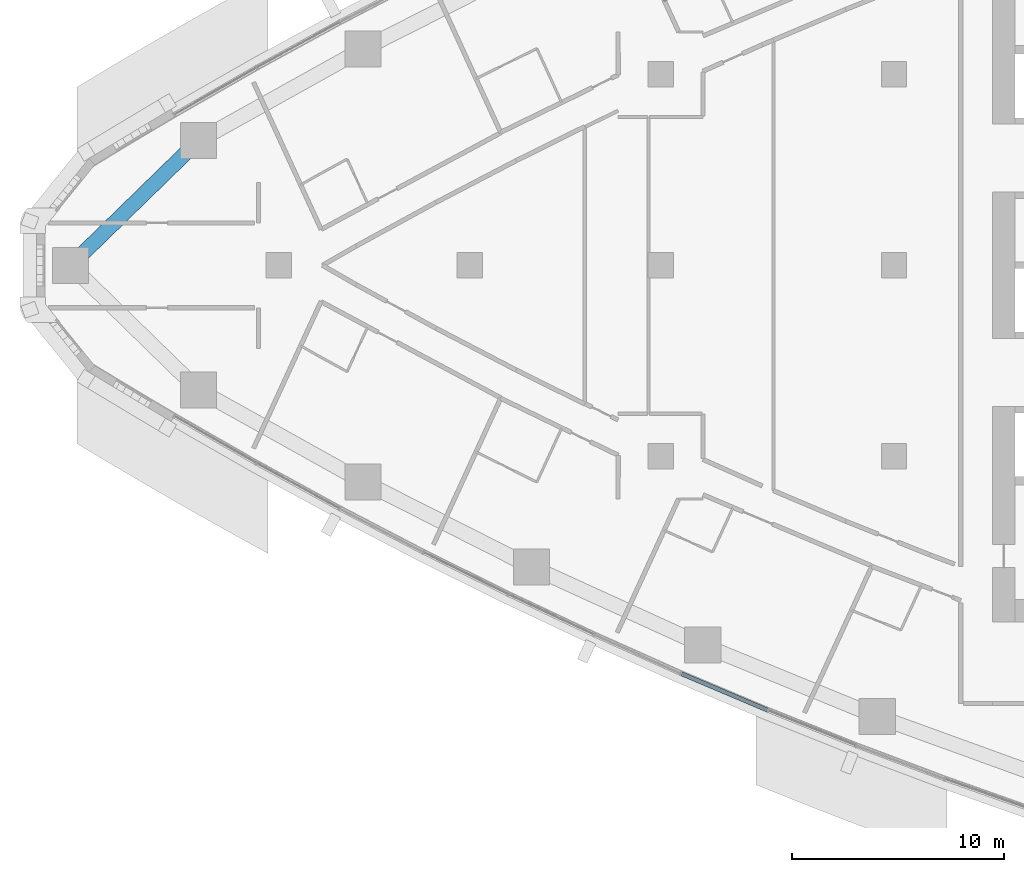
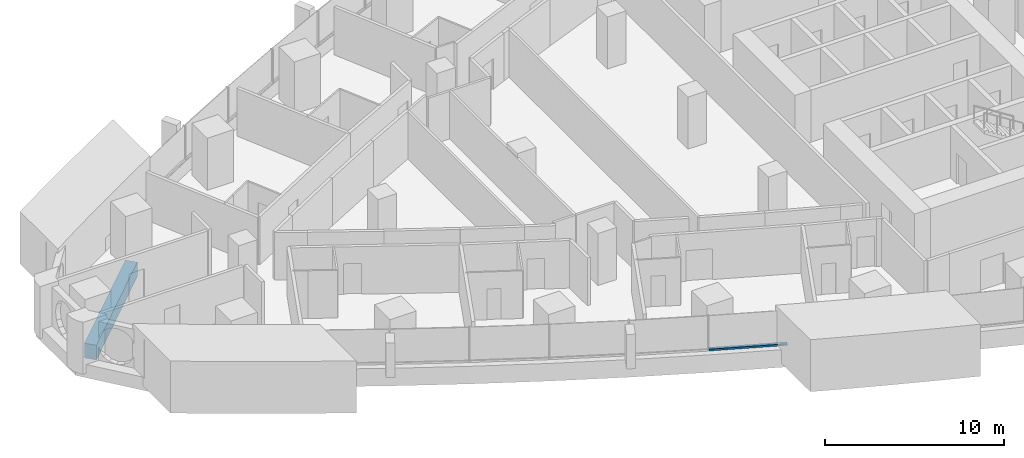
# One storey, part 3 of 17: 1 beam, 1 member, 1 element without a shape of its own.
"""IFC4 building model written with IfcOpenShell, lengths in metres."""

import ifcopenshell
import ifcopenshell.guid

model = None  # the IFC model being written
_history = None  # IfcOwnerHistory: only IFC2X3 demands one
_inside = {}  # id of a spatial element -> (the spatial element, [elements in it])
_under = {}  # id of a project, library or spatial element -> (it, [spatial elements below it])
_declared = {}  # id of a project -> (the project, [libraries it declares])
_typed = {}  # id of a type object -> (the type object, [elements of that type])
_made_of = {}  # id of a material, layer set ... -> (it, [elements and type objects made of it])


def new_model(schema):
    """Start an empty IFC model of exactly this schema.

    Asked for "IFC4X3", IfcOpenShell would pick the latest addendum, in which some entities
    have other attributes; the version numbers below select the first issue.
    IFC2X3 requires an IfcOwnerHistory on every rooted entity: one is made here for all.
    """
    global model, _history
    if schema == "IFC4X3":
        model = ifcopenshell.file(schema_version=(4, 3, 0, 0))
    else:
        model = ifcopenshell.file(schema=schema)
    _inside.clear()
    _under.clear()
    _declared.clear()
    _typed.clear()
    _made_of.clear()
    _history = None
    if model.schema == "IFC2X3":
        org = make("IfcOrganization", Name="unknown")
        user = make(
            "IfcPersonAndOrganization",
            ThePerson=make("IfcPerson", FamilyName="unknown"),
            TheOrganization=org,
        )
        app = make(
            "IfcApplication",
            ApplicationDeveloper=org,
            Version="unknown",
            ApplicationFullName="unknown",
            ApplicationIdentifier="unknown",
        )
        _history = make(
            "IfcOwnerHistory",
            OwningUser=user,
            OwningApplication=app,
            ChangeAction="ADDED",
            CreationDate=0,
        )
    return model


def make(cls, **values):
    """One entity of the class cls with the attributes given. An attribute that is None is left unset."""
    return model.create_entity(
        cls, **{name: value for name, value in values.items() if value is not None}
    )


def rooted(cls, **values):
    """An entity with a GlobalId (a new one), such as an element, a storey or a relation."""
    return make(cls, GlobalId=ifcopenshell.guid.new(), OwnerHistory=_history, **values)


def si_unit(unit_type, name, prefix=None):
    """IfcSIUnit, for example si_unit("LENGTHUNIT", "METRE", prefix="MILLI")."""
    return make("IfcSIUnit", UnitType=unit_type, Prefix=prefix, Name=name)


def assignment(units):
    """IfcUnitAssignment: the units of a project."""
    return None if units is None else make("IfcUnitAssignment", Units=units)


def point(xyz):
    """IfcCartesianPoint."""
    return None if xyz is None else make("IfcCartesianPoint", Coordinates=xyz)


def direction(xyz):
    """IfcDirection."""
    return None if xyz is None else make("IfcDirection", DirectionRatios=xyz)


def frame(location, z_axis=None, x_axis=None):
    """IfcAxis2Placement3D, a coordinate frame: its origin and axes. An axis left out is left unset."""
    return make(
        "IfcAxis2Placement3D",
        Location=point(location),
        Axis=direction(z_axis),
        RefDirection=direction(x_axis),
    )


def frame_2d(location, x_axis=None):
    """IfcAxis2Placement2D, a coordinate frame in the plane: its origin and x axis."""
    return make(
        "IfcAxis2Placement2D", Location=point(location), RefDirection=direction(x_axis)
    )


def origin():
    """The frame at (0, 0, 0) with its axes left unset."""
    return frame((0.0, 0.0, 0.0))


def origin_2d():
    """The frame at (0, 0) in the plane with its x axis left unset."""
    return frame_2d((0.0, 0.0))


def place(relative_to, where):
    """IfcLocalPlacement: puts the frame where relative to a parent placement (None: the world)."""
    return make(
        "IfcLocalPlacement", PlacementRelTo=relative_to, RelativePlacement=where
    )


def context(
    kind, dimensions, precision=None, world=None, true_north=None, identifier=None
):
    """IfcGeometricRepresentationContext, for example the 3D "Model" context."""
    return make(
        "IfcGeometricRepresentationContext",
        ContextIdentifier=identifier,
        ContextType=kind,
        CoordinateSpaceDimension=dimensions,
        Precision=precision,
        WorldCoordinateSystem=world,
        TrueNorth=true_north,
    )


def subcontext(parent, identifier, kind, view, scale=None):
    """IfcGeometricRepresentationSubContext, for example "Body" below "Model"."""
    return make(
        "IfcGeometricRepresentationSubContext",
        ContextIdentifier=identifier,
        ContextType=kind,
        ParentContext=parent,
        TargetScale=scale,
        TargetView=view,
    )


def project(units=None, contexts=None):
    """IfcProject with its units and contexts."""
    return rooted(
        "IfcProject",
        Name="project",
        RepresentationContexts=contexts,
        UnitsInContext=assignment(units),
    )


def spatial(cls, under=None, at=None, **own):
    """A site, building, storey or space (cls), placed at a placement, below another one or the project."""
    s = rooted(cls, ObjectPlacement=at, **own)
    if under is not None:
        _under.setdefault(under.id(), (under, []))[1].append(s)
    return s


def profile(cls, at=None, kind="AREA", **sizes):
    """A parametric profile (cls). Its sizes go by their IFC names, for example OverallWidth=200.0."""
    return make(cls, ProfileType=kind, Position=at, **sizes)


def rectangle(**sizes):
    """IfcRectangleProfileDef."""
    return profile("IfcRectangleProfileDef", **sizes)


def extrude(swept, where, along, depth):
    """IfcExtrudedAreaSolid: the profile swept, set in the frame where, extruded along a direction by depth."""
    return make(
        "IfcExtrudedAreaSolid",
        SweptArea=swept,
        Position=where,
        ExtrudedDirection=direction(along),
        Depth=depth,
    )


def shape(context_of_items, identifier, shape_type, items):
    """IfcShapeRepresentation: the items that make up one representation, for example the "Body"."""
    return make(
        "IfcShapeRepresentation",
        ContextOfItems=context_of_items,
        RepresentationIdentifier=identifier,
        RepresentationType=shape_type,
        Items=items,
    )


def material(Name=None, Category=None):
    """IfcMaterial."""
    return make("IfcMaterial", Name=Name, Category=Category)


def layer(
    of_material, thickness, ventilated=None, Name=None, Category=None, Priority=None
):
    """IfcMaterialLayer: one layer of a wall or slab, of a material (None: an air gap)."""
    return make(
        "IfcMaterialLayer",
        Material=of_material,
        LayerThickness=thickness,
        IsVentilated=ventilated,
        Name=Name,
        Category=Category,
        Priority=Priority,
    )


def layer_set(layers, Name=None):
    """IfcMaterialLayerSet."""
    return make("IfcMaterialLayerSet", MaterialLayers=layers, LayerSetName=Name)


def material_profile(
    of_material, cross_section, Name=None, Category=None, Priority=None
):
    """IfcMaterialProfile: a cross section and its material."""
    return make(
        "IfcMaterialProfile",
        Name=Name,
        Material=of_material,
        Profile=cross_section,
        Priority=Priority,
        Category=Category,
    )


def profile_set(profiles, Name=None, composite=None):
    """IfcMaterialProfileSet."""
    return make(
        "IfcMaterialProfileSet",
        Name=Name,
        MaterialProfiles=profiles,
        CompositeProfile=composite,
    )


def made_of(thing, what):
    """Note that an element or type object is made of a material, layer set ...; save() writes the relation."""
    if what is not None:
        _made_of.setdefault(what.id(), (what, []))[1].append(thing)
    return thing


def type_object(cls, material=None, **own):
    """A type object (cls), such as IfcWallType, which elements share."""
    return made_of(rooted(cls, **own), material)


def element(
    cls,
    number,
    at=None,
    inside=None,
    cuts=None,
    type_object=None,
    material=None,
    context=None,
    identifier="Body",
    shape_type=None,
    held_by="IfcProductDefinitionShape",
    body=None,
    shapes=None,
    **own,
):
    """One element of the class cls, such as IfcWall. Its Tag is "e" and its number.

    at: its placement. inside: the storey or other place that contains it. cuts: it is an
    opening in that element (IfcRelVoidsElement). A single representation is given by context,
    identifier, shape_type and body (its items); several are given by shapes. held_by: the class
    of the entity that holds the representations. save() writes the other relations.
    """
    e = rooted(cls, Tag="e%d" % number, ObjectPlacement=at, **own)
    if body is not None:
        shapes = [shape(context, identifier, shape_type, body)]
    if shapes is not None:
        e.Representation = make(held_by, Representations=shapes)
    if inside is not None:
        _inside.setdefault(inside.id(), (inside, []))[1].append(e)
    if cuts is not None:
        rooted(
            "IfcRelVoidsElement", RelatingBuildingElement=cuts, RelatedOpeningElement=e
        )
    if type_object is not None:
        _typed.setdefault(type_object.id(), (type_object, []))[1].append(e)
    return made_of(e, material)


def aggregate(whole, parts):
    """IfcRelAggregates: a whole, such as a stair, and the parts it consists of."""
    return rooted("IfcRelAggregates", RelatingObject=whole, RelatedObjects=parts)


def save(model, path):
    """Write the relations noted so far, then the file.

    IfcRelAggregates (storeys below a building ...), IfcRelContainedInSpatialStructure (elements
    in a storey), IfcRelDefinesByType, IfcRelAssociatesMaterial and IfcRelDeclares: one each for
    every whole, place, type object, material and project.
    """
    for whole, parts in _under.values():
        aggregate(whole, parts)
    for where, things in _inside.values():
        rooted(
            "IfcRelContainedInSpatialStructure",
            RelatedElements=things,
            RelatingStructure=where,
        )
    for kind, things in _typed.values():
        rooted("IfcRelDefinesByType", RelatedObjects=things, RelatingType=kind)
    for what, things in _made_of.values():
        rooted("IfcRelAssociatesMaterial", RelatedObjects=things, RelatingMaterial=what)
    for by, libraries in _declared.values():
        rooted("IfcRelDeclares", RelatingContext=by, RelatedDefinitions=libraries)
    model.write(path)


model = new_model("IFC4")

# Units and contexts
model_context = context("Model", 3, precision=1e-05, world=origin(), true_north=direction((0.0, 1.0)))
body_context = subcontext(model_context, "Body", "Model", "MODEL_VIEW")
ifc_project = project(units=[si_unit("LENGTHUNIT", "METRE"), si_unit("AREAUNIT", "SQUARE_METRE"), si_unit("VOLUMEUNIT", "CUBIC_METRE"), si_unit("PLANEANGLEUNIT", "RADIAN"), si_unit("MASSUNIT", "GRAM", prefix="KILO")], contexts=[model_context])

# Site, building, storey
site_placement = place(None, origin())
site = spatial("IfcSite", under=ifc_project, at=site_placement, CompositionType="ELEMENT")
building_placement = place(site_placement, origin())
building = spatial("IfcBuilding", under=site, at=building_placement, Name="Ostrand Prow Hotel Tower", CompositionType="ELEMENT")
storey_placement = place(building_placement, frame((0.0, 0.0, 92.0)))
storey = spatial("IfcBuildingStorey", under=building, at=storey_placement, Name="L21", CompositionType="ELEMENT", Elevation=92.0)

# Beam
ifc_material_1 = material(Name="Concrete C80/95", Category="concrete")
ifc_material_profile_1 = material_profile(ifc_material_1, rectangle(XDim=0.699951171875, YDim=1.0, at=origin_2d()), Name="RC 700x1000")
ifc_profile_set_1 = profile_set([ifc_material_profile_1], Name="Concrete C80/95")
beam_type = type_object("IfcBeamType", Name="Edge beam 700x1000 C80/95", PredefinedType="SPANDREL", material=ifc_profile_set_1)
beam_placement = place(storey_placement, frame((12.221435546875, 5.876220703125, -0.800048828125), z_axis=(-0.716082759826, -0.698015387423, 0.0), x_axis=(0.698015387423, -0.716082759826, 0.0)))
element("IfcBeam", 1, at=beam_placement, inside=storey, type_object=beam_type, Name="Edge beam N6-P", PredefinedType="SPANDREL", context=body_context, shape_type="SweptSolid", body=[
    extrude(rectangle(XDim=0.699951171875, YDim=1.0, at=origin_2d()), origin(), (0.0, 0.0, 1.0), 8.41845703125),
])

# Curtain wall, member
ifc_material_2 = material(Name="Insulated glass in bronze anodised frame", Category="glass")
ifc_layer = layer(ifc_material_2, 0.199951171875)
ifc_layer_set = layer_set([ifc_layer], Name="Insulated glass in bronze anodised frame")
curtain_wall_type = type_object("IfcCurtainWallType", Name="Strip curtain wall, fritted glass over bronze spandrel", PredefinedType="NOTDEFINED", material=ifc_layer_set)
curtain_wall_placement = place(storey_placement, origin())
curtain_wall = element("IfcCurtainWall", 2, at=curtain_wall_placement, inside=storey, type_object=curtain_wall_type, Name="CW1 run CWS4", PredefinedType="NOTDEFINED")
ifc_material_3 = material(Name="Bronze anodised aluminium", Category="aluminium")
ifc_material_profile_2 = material_profile(ifc_material_3, rectangle(XDim=0.199951171875, YDim=0.1201171875, at=origin_2d()), Name="Transom 120x200 bronze anodised aluminium")
ifc_profile_set_2 = profile_set([ifc_material_profile_2], Name="Bronze anodised aluminium")
member_type = type_object("IfcMemberType", Name="Transom 120x200 bronze anodised aluminium", PredefinedType="USERDEFINED", material=ifc_profile_set_2)
member_placement = place(storey_placement, frame((34.978271484375, -19.24462890625, 0.9599609375), z_axis=(0.921006250528, -0.389547797438, 0.0), x_axis=(0.389547797438, 0.921006250528, 0.0)))
member = element("IfcMember", 3, at=member_placement, type_object=member_type, Name="CW1 transom 1.1", ObjectType="TRANSOM", PredefinedType="USERDEFINED", context=body_context, shape_type="SweptSolid", body=[
    extrude(rectangle(XDim=0.199951171875, YDim=0.1201171875, at=origin_2d()), origin(), (0.0, 0.0, 1.0), 4.406005859375),
])
aggregate(curtain_wall, [member])

save(model, "model.ifc")
